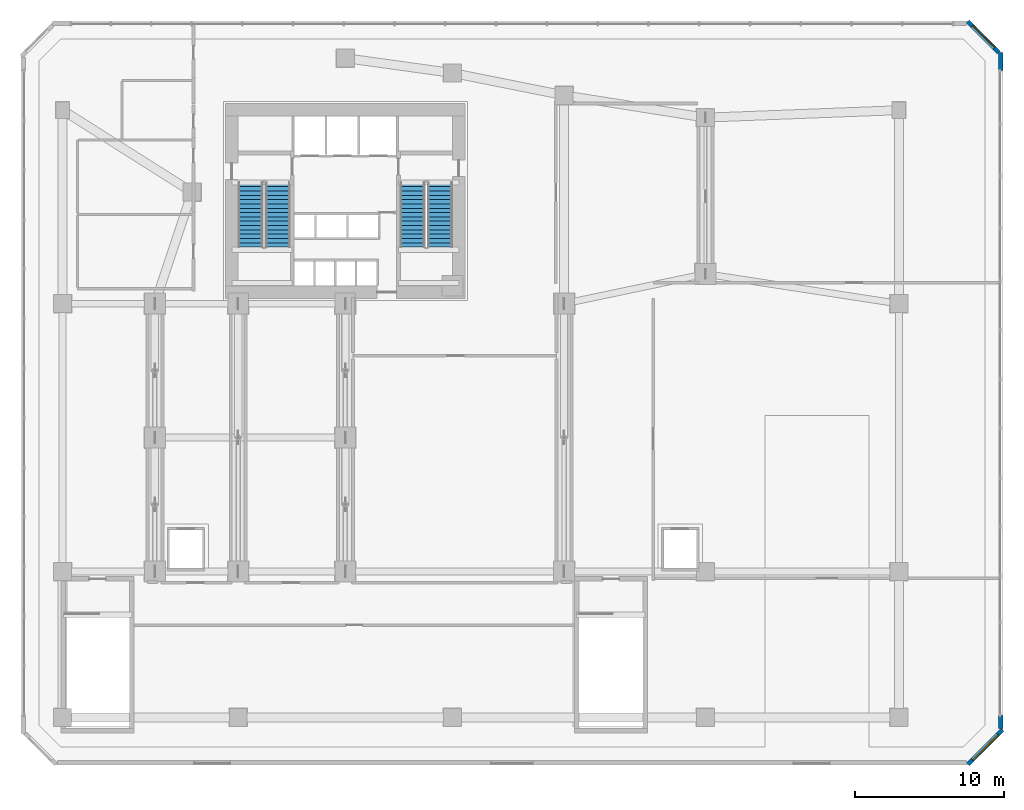
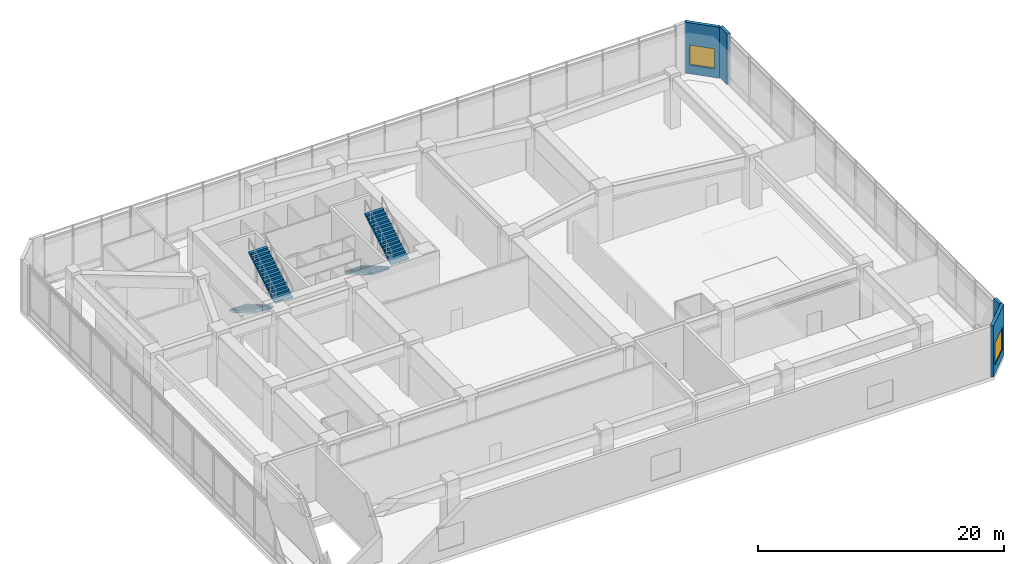
# One storey, part 19 of 21: 4 stair flights, 4 walls, 2 windows, 2 openings, 2 elements without a shape of their own.
"""IFC4 building model written with IfcOpenShell, lengths in metres."""

from ifc_helpers import new_model, si_unit, direction, frame, frame_2d, origin, place, context, subcontext, project, spatial, polyline, rectangle, outline, extrude, source, transform, mapped, material, layer, layer_set, type_object, element, fill, aggregate, save


model = new_model("IFC4")

# Units and contexts
model_context = context("Model", 3, precision=1e-05, world=origin(), true_north=direction((0.0, 1.0)))
body_context = subcontext(model_context, "Body", "Model", "MODEL_VIEW")
ifc_project = project(units=[si_unit("LENGTHUNIT", "METRE"), si_unit("AREAUNIT", "SQUARE_METRE"), si_unit("VOLUMEUNIT", "CUBIC_METRE"), si_unit("PLANEANGLEUNIT", "RADIAN"), si_unit("MASSUNIT", "GRAM", prefix="KILO")], contexts=[model_context])

# Site, building, storey
site_placement = place(None, origin())
site = spatial("IfcSite", under=ifc_project, at=site_placement, CompositionType="ELEMENT")
building_placement = place(site_placement, origin())
building = spatial("IfcBuilding", under=site, at=building_placement, Name="Calvemar Wedge Station Tower", CompositionType="ELEMENT")
storey_placement = place(building_placement, frame((0.0, 0.0, 21.60009765625)))
storey = spatial("IfcBuildingStorey", under=building, at=storey_placement, Name="L05", CompositionType="ELEMENT", Elevation=21.60009765625)

# Wall, opening, window
ifc_material_1 = material(Name="Precast concrete C45", Category="concrete")
ifc_layer = layer(ifc_material_1, 0.300048828125)
ifc_layer_set = layer_set([ifc_layer], Name="Precast concrete C45")
wall_type = type_object("IfcWallType", Name="W-EXT-GFRC-300", PredefinedType="SOLIDWALL", material=ifc_layer_set)
wall_1_placement = place(storey_placement, frame((65.6318359375, 2.0439453125, 0.0), z_axis=(0.0, 0.0, 1.0), x_axis=(0.707106781187, 0.707106781187, 0.0)))
wall_1 = element("IfcWall", 1, at=wall_1_placement, inside=storey, type_object=wall_type, Name="Storey L05 Bronze GFRC Exterior Wall 1", PredefinedType="SOLIDWALL", context=body_context, shape_type="SweptSolid", body=[
    extrude(rectangle(XDim=3.286865234375, YDim=0.300048828125, at=frame_2d((1.6435546875, 0.0))), origin(), (0.0, 0.0, 1.0), 5.0498046875),
])
shared_shape_1 = source(origin(), body_context, "Body", "SweptSolid", [
    extrude(rectangle(XDim=2.39990234375, YDim=2.199951171875, at=frame_2d((1.199951171875, 1.10009765625))), frame((0.0, 0.16015625, 0.0), z_axis=(0.0, -1.0, 0.0), x_axis=(1.0, 0.0, 0.0)), (0.0, 0.0, 1.0), 0.320068359375),
])
opening_1_placement = place(wall_1_placement, frame((0.444091796875, 0.0, 0.85009765625)))
opening_1 = element("IfcOpeningElement", 2, at=opening_1_placement, cuts=wall_1, Name="Opening W1", PredefinedType="OPENING", context=body_context, shape_type="MappedRepresentation", body=[
    mapped(shared_shape_1, transform((0.0, 0.0, 0.0), scale=1.0)),
])
ifc_material_2 = material(Name="Low-E laminated insulated glass", Category="glass")
window_type_1 = type_object("IfcWindowType", Name="WIN-EXT-1", PartitioningType="SINGLE_PANEL", PredefinedType="WINDOW", material=ifc_material_2)
shared_shape_2 = source(origin(), body_context, "Body", "SweptSolid", [
    extrude(rectangle(XDim=2.39990234375, YDim=2.199951171875, at=frame_2d((1.199951171875, 1.10009765625))), frame((0.0, -0.014892578125, 0.0), z_axis=(0.0, -1.0, 0.0), x_axis=(1.0, 0.0, 0.0)), (0.0, 0.0, 1.0), 0.06005859375),
])
window_1_placement = place(opening_1_placement, origin())
window_1 = element("IfcWindow", 3, at=window_1_placement, inside=storey, type_object=window_type_1, Name="Storey L05 Recessed Window 1.1", OverallHeight=2.199951171875, OverallWidth=2.39990234375, PartitioningType="SINGLE_PANEL", PredefinedType="WINDOW", context=body_context, shape_type="MappedRepresentation", body=[
    mapped(shared_shape_2, transform((0.0, 0.0, 0.0), scale=1.0)),
])
fill(opening_1, window_1)

# Walls
wall_2_placement = place(storey_placement, frame((67.85009765625, 4.457275390625, 0.0), z_axis=(0.0, 0.0, 1.0), x_axis=(0.0, 1.0, 0.0)))
element("IfcWall", 4, at=wall_2_placement, inside=storey, type_object=wall_type, Name="Storey L05 Bronze GFRC Corner Pier 2A", PredefinedType="SOLIDWALL", context=body_context, shape_type="SweptSolid", body=[
    extrude(rectangle(XDim=0.87744140625, YDim=0.300048828125, at=frame_2d((0.438720703125, 0.0))), origin(), (0.0, 0.0, 1.0), 5.0498046875),
])
wall_3_placement = place(storey_placement, frame((67.85009765625, 48.665283203125, 0.0), z_axis=(0.0, 0.0, 1.0), x_axis=(0.0, 1.0, 0.0)))
element("IfcWall", 5, at=wall_3_placement, inside=storey, type_object=wall_type, Name="Storey L05 Bronze GFRC Corner Pier 2B", PredefinedType="SOLIDWALL", context=body_context, shape_type="SweptSolid", body=[
    extrude(rectangle(XDim=1.22265625, YDim=0.300048828125, at=frame_2d((0.611328125, 0.0))), origin(), (0.0, 0.0, 1.0), 5.0498046875),
])

# Wall, opening, window
wall_4_placement = place(storey_placement, frame((67.7119140625, 49.8759765625, 0.0), z_axis=(0.0, 0.0, 1.0), x_axis=(-0.707106781187, 0.707106781187, 0.0)))
wall_4 = element("IfcWall", 6, at=wall_4_placement, inside=storey, type_object=wall_type, Name="Storey L05 Bronze GFRC Exterior Wall 3", PredefinedType="SOLIDWALL", context=body_context, shape_type="SweptSolid", body=[
    extrude(rectangle(XDim=2.941650390625, YDim=0.300048828125, at=frame_2d((1.470703125, 0.0))), origin(), (0.0, 0.0, 1.0), 5.0498046875),
])
shared_shape_3 = source(origin(), body_context, "Body", "SweptSolid", [
    extrude(rectangle(XDim=2.10009765625, YDim=2.0, at=frame_2d((1.050048828125, 1.0))), frame((0.0, 0.16015625, 0.0), z_axis=(0.0, -1.0, 0.0), x_axis=(1.0, 0.0, 0.0)), (0.0, 0.0, 1.0), 0.320068359375),
])
opening_2_placement = place(wall_4_placement, frame((0.4208984375, 0.0, 0.85009765625)))
opening_2 = element("IfcOpeningElement", 7, at=opening_2_placement, cuts=wall_4, Name="Opening W4", PredefinedType="OPENING", context=body_context, shape_type="MappedRepresentation", body=[
    mapped(shared_shape_3, transform((0.0, 0.0, 0.0), scale=1.0)),
])
window_type_2 = type_object("IfcWindowType", Name="WIN-EXT-4", PartitioningType="SINGLE_PANEL", PredefinedType="WINDOW", material=ifc_material_2)
shared_shape_4 = source(origin(), body_context, "Body", "SweptSolid", [
    extrude(rectangle(XDim=2.10009765625, YDim=2.0, at=frame_2d((1.050048828125, 1.0))), frame((0.0, -0.014892578125, 0.0), z_axis=(0.0, -1.0, 0.0), x_axis=(1.0, 0.0, 0.0)), (0.0, 0.0, 1.0), 0.06005859375),
])
window_2_placement = place(opening_2_placement, origin())
window_2 = element("IfcWindow", 8, at=window_2_placement, inside=storey, type_object=window_type_2, Name="Storey L05 Recessed Window 3.1", OverallHeight=2.0, OverallWidth=2.10009765625, PartitioningType="SINGLE_PANEL", PredefinedType="WINDOW", context=body_context, shape_type="MappedRepresentation", body=[
    mapped(shared_shape_4, transform((0.0, 0.0, 0.0), scale=1.0)),
])
fill(opening_2, window_2)

# Stair, stair flights
ifc_material_3 = material(Name="Concrete C45", Category="concrete")
stair_type = type_object("IfcStairType", Name="ST-TYPE-5400", PredefinedType="HALF_TURN_STAIR", material=ifc_material_3)
stair_1_placement = place(storey_placement, origin())
stair_1 = element("IfcStair", 9, at=stair_1_placement, inside=storey, type_object=stair_type, Name="L05 Pressurized Core Exit Stair ST-C1", PredefinedType="HALF_TURN_STAIR")
stair_flight_type = type_object("IfcStairFlightType", Name="STF-TYPE-5400", PredefinedType="STRAIGHT", material=ifc_material_3)
stair_flight_1_placement = place(storey_placement, frame((17.429931640625, 41.14990234375, 0.0), z_axis=(0.0, 0.0, 1.0), x_axis=(0.0, -1.0, 0.0)))
stair_flight_1 = element("IfcStairFlight", 10, at=stair_flight_1_placement, type_object=stair_flight_type, Name="ST-C1 flight 1", NumberOfRisers=16, NumberOfTreads=15, PredefinedType="STRAIGHT", RiserHeight=0.16875, TreadLength=0.29, context=body_context, shape_type="SweptSolid", body=[
    extrude(outline(polyline([(0.0, 0.0), (0.0, 0.168701171875), (0.2900390625, 0.168701171875), (0.2900390625, 0.33740234375), (0.580078125, 0.33740234375), (0.580078125, 0.50634765625), (0.8701171875, 0.50634765625), (0.8701171875, 0.675048828125), (1.159912109375, 0.675048828125), (1.159912109375, 0.84375), (1.449951171875, 0.84375), (1.449951171875, 1.012451171875), (1.739990234375, 1.012451171875), (1.739990234375, 1.18115234375), (2.030029296875, 1.18115234375), (2.030029296875, 1.35009765625), (2.320068359375, 1.35009765625), (2.320068359375, 1.518798828125), (2.610107421875, 1.518798828125), (2.610107421875, 1.6875), (2.89990234375, 1.6875), (2.89990234375, 1.856201171875), (3.18994140625, 1.856201171875), (3.18994140625, 2.02490234375), (3.47998046875, 2.02490234375), (3.47998046875, 2.19384765625), (3.77001953125, 2.19384765625), (3.77001953125, 2.362548828125), (4.06005859375, 2.362548828125), (4.06005859375, 2.53125), (4.35009765625, 2.53125), (4.35009765625, 2.699951171875), (4.35009765625, 2.35791015625), (0.298095703125, 0.0), (0.0, 0.0)])), frame((0.0, 0.830078125, 0.0), z_axis=(0.0, -1.0, 0.0), x_axis=(1.0, 0.0, 0.0)), (0.0, 0.0, 1.0), 1.659912109375),
])
stair_flight_2_placement = place(storey_placement, frame((19.27001953125, 36.800048828125, 2.699951171875), z_axis=(0.0, 0.0, 1.0), x_axis=(0.0, 1.0, 0.0)))
stair_flight_2 = element("IfcStairFlight", 11, at=stair_flight_2_placement, type_object=stair_flight_type, Name="ST-C1 flight 2", NumberOfRisers=16, NumberOfTreads=15, PredefinedType="STRAIGHT", RiserHeight=0.16875, TreadLength=0.29, context=body_context, shape_type="SweptSolid", body=[
    extrude(outline(polyline([(0.0, 0.0), (0.0, 0.168701171875), (0.2900390625, 0.168701171875), (0.2900390625, 0.33740234375), (0.580078125, 0.33740234375), (0.580078125, 0.50634765625), (0.8701171875, 0.50634765625), (0.8701171875, 0.675048828125), (1.159912109375, 0.675048828125), (1.159912109375, 0.84375), (1.449951171875, 0.84375), (1.449951171875, 1.012451171875), (1.739990234375, 1.012451171875), (1.739990234375, 1.18115234375), (2.030029296875, 1.18115234375), (2.030029296875, 1.35009765625), (2.320068359375, 1.35009765625), (2.320068359375, 1.518798828125), (2.610107421875, 1.518798828125), (2.610107421875, 1.6875), (2.89990234375, 1.6875), (2.89990234375, 1.856201171875), (3.18994140625, 1.856201171875), (3.18994140625, 2.02490234375), (3.47998046875, 2.02490234375), (3.47998046875, 2.19384765625), (3.77001953125, 2.19384765625), (3.77001953125, 2.362548828125), (4.06005859375, 2.362548828125), (4.06005859375, 2.53125), (4.35009765625, 2.53125), (4.35009765625, 2.699951171875), (4.35009765625, 2.35791015625), (0.298095703125, 0.0), (0.0, 0.0)])), frame((0.0, 0.830078125, 0.0), z_axis=(0.0, -1.0, 0.0), x_axis=(1.0, 0.0, 0.0)), (0.0, 0.0, 1.0), 1.659912109375),
])
aggregate(stair_1, [stair_flight_1, stair_flight_2])

stair_2_placement = place(storey_placement, origin())
stair_2 = element("IfcStair", 12, at=stair_2_placement, inside=storey, type_object=stair_type, Name="L05 Pressurized Core Exit Stair ST-C2", PredefinedType="HALF_TURN_STAIR")
stair_flight_3_placement = place(storey_placement, frame((28.330078125, 41.14990234375, 0.0), z_axis=(0.0, 0.0, 1.0), x_axis=(0.0, -1.0, 0.0)))
stair_flight_3 = element("IfcStairFlight", 13, at=stair_flight_3_placement, type_object=stair_flight_type, Name="ST-C2 flight 1", NumberOfRisers=16, NumberOfTreads=15, PredefinedType="STRAIGHT", RiserHeight=0.16875, TreadLength=0.29, context=body_context, shape_type="SweptSolid", body=[
    extrude(outline(polyline([(0.0, 0.0), (0.0, 0.168701171875), (0.2900390625, 0.168701171875), (0.2900390625, 0.33740234375), (0.580078125, 0.33740234375), (0.580078125, 0.50634765625), (0.8701171875, 0.50634765625), (0.8701171875, 0.675048828125), (1.159912109375, 0.675048828125), (1.159912109375, 0.84375), (1.449951171875, 0.84375), (1.449951171875, 1.012451171875), (1.739990234375, 1.012451171875), (1.739990234375, 1.18115234375), (2.030029296875, 1.18115234375), (2.030029296875, 1.35009765625), (2.320068359375, 1.35009765625), (2.320068359375, 1.518798828125), (2.610107421875, 1.518798828125), (2.610107421875, 1.6875), (2.89990234375, 1.6875), (2.89990234375, 1.856201171875), (3.18994140625, 1.856201171875), (3.18994140625, 2.02490234375), (3.47998046875, 2.02490234375), (3.47998046875, 2.19384765625), (3.77001953125, 2.19384765625), (3.77001953125, 2.362548828125), (4.06005859375, 2.362548828125), (4.06005859375, 2.53125), (4.35009765625, 2.53125), (4.35009765625, 2.699951171875), (4.35009765625, 2.35791015625), (0.298095703125, 0.0), (0.0, 0.0)])), frame((0.0, 0.830078125, 0.0), z_axis=(0.0, -1.0, 0.0), x_axis=(1.0, 0.0, 0.0)), (0.0, 0.0, 1.0), 1.659912109375),
])
stair_flight_4_placement = place(storey_placement, frame((30.169921875, 36.800048828125, 2.699951171875), z_axis=(0.0, 0.0, 1.0), x_axis=(0.0, 1.0, 0.0)))
stair_flight_4 = element("IfcStairFlight", 14, at=stair_flight_4_placement, type_object=stair_flight_type, Name="ST-C2 flight 2", NumberOfRisers=16, NumberOfTreads=15, PredefinedType="STRAIGHT", RiserHeight=0.16875, TreadLength=0.29, context=body_context, shape_type="SweptSolid", body=[
    extrude(outline(polyline([(0.0, 0.0), (0.0, 0.168701171875), (0.2900390625, 0.168701171875), (0.2900390625, 0.33740234375), (0.580078125, 0.33740234375), (0.580078125, 0.50634765625), (0.8701171875, 0.50634765625), (0.8701171875, 0.675048828125), (1.159912109375, 0.675048828125), (1.159912109375, 0.84375), (1.449951171875, 0.84375), (1.449951171875, 1.012451171875), (1.739990234375, 1.012451171875), (1.739990234375, 1.18115234375), (2.030029296875, 1.18115234375), (2.030029296875, 1.35009765625), (2.320068359375, 1.35009765625), (2.320068359375, 1.518798828125), (2.610107421875, 1.518798828125), (2.610107421875, 1.6875), (2.89990234375, 1.6875), (2.89990234375, 1.856201171875), (3.18994140625, 1.856201171875), (3.18994140625, 2.02490234375), (3.47998046875, 2.02490234375), (3.47998046875, 2.19384765625), (3.77001953125, 2.19384765625), (3.77001953125, 2.362548828125), (4.06005859375, 2.362548828125), (4.06005859375, 2.53125), (4.35009765625, 2.53125), (4.35009765625, 2.699951171875), (4.35009765625, 2.35791015625), (0.298095703125, 0.0), (0.0, 0.0)])), frame((0.0, 0.830078125, 0.0), z_axis=(0.0, -1.0, 0.0), x_axis=(1.0, 0.0, 0.0)), (0.0, 0.0, 1.0), 1.659912109375),
])
aggregate(stair_2, [stair_flight_3, stair_flight_4])

save(model, "model.ifc")
